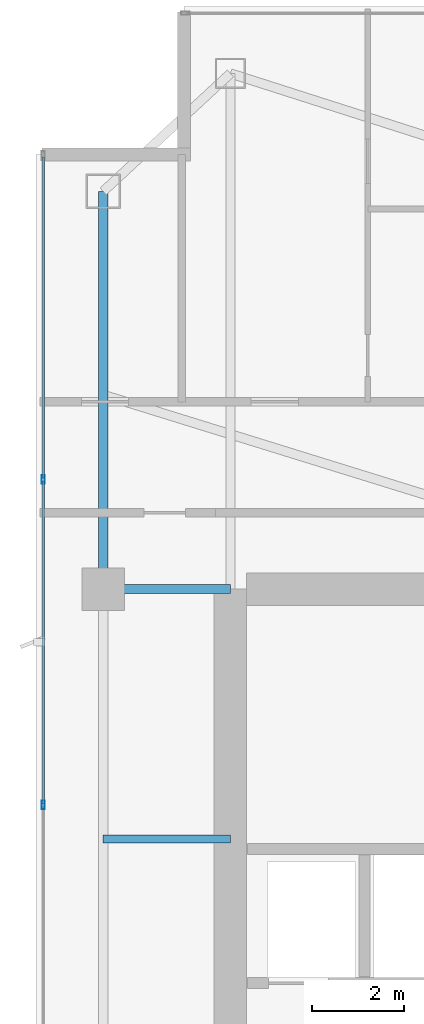
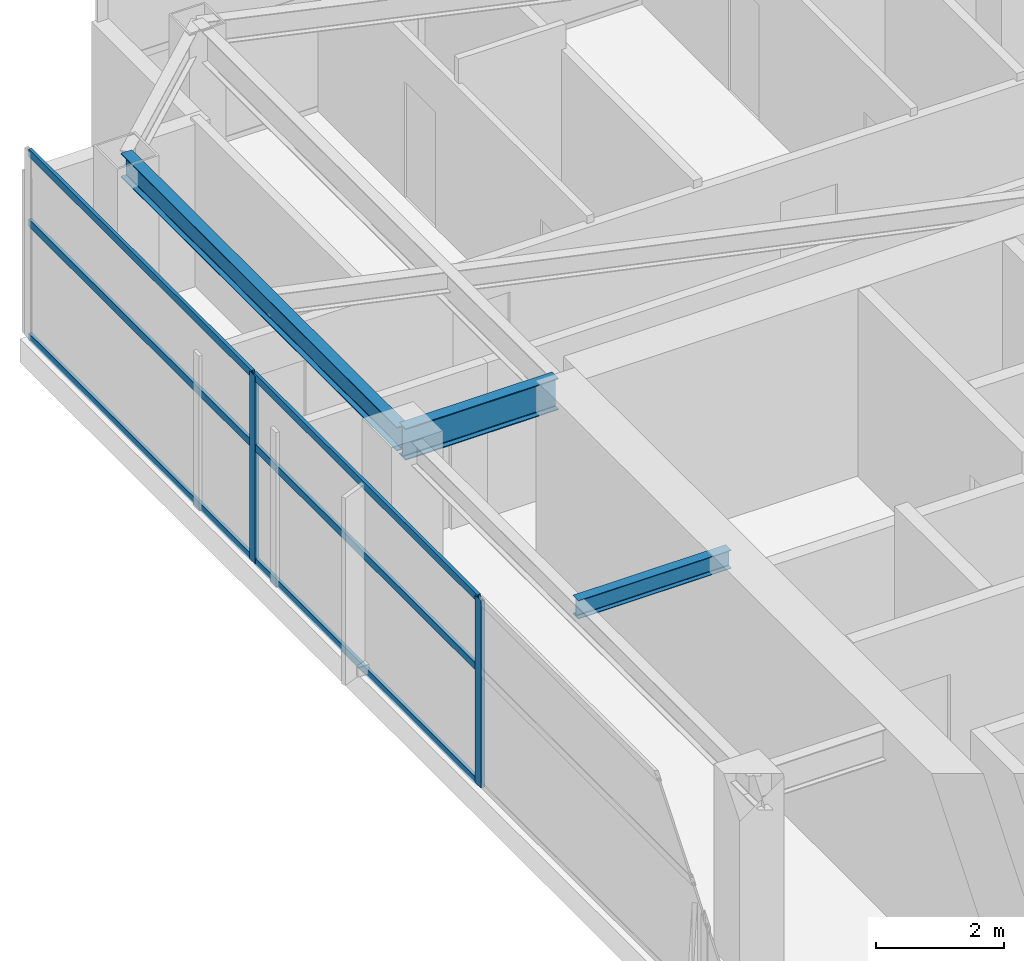
# One storey, part 15 of 28: 8 members, 3 beams, 1 element without a shape of its own.
"""IFC4 building model written with IfcOpenShell, lengths in metres."""

from ifc_helpers import new_model, si_unit, direction, frame, origin, origin_2d, place, context, subcontext, project, spatial, hollow_rectangle, i_section, extrude, material, layer, layer_set, material_profile, profile_set, type_object, element, aggregate, save


model = new_model("IFC4")

# Units and contexts
model_context = context("Model", 3, precision=1e-05, world=origin(), true_north=direction((0.0, 1.0)))
body_context = subcontext(model_context, "Body", "Model", "MODEL_VIEW")
ifc_project = project(units=[si_unit("LENGTHUNIT", "METRE"), si_unit("AREAUNIT", "SQUARE_METRE"), si_unit("VOLUMEUNIT", "CUBIC_METRE"), si_unit("PLANEANGLEUNIT", "RADIAN"), si_unit("MASSUNIT", "GRAM", prefix="KILO")], contexts=[model_context])

# Site, building, storey
site_placement = place(None, origin())
site = spatial("IfcSite", under=ifc_project, at=site_placement, CompositionType="ELEMENT")
building_placement = place(site_placement, origin())
building = spatial("IfcBuilding", under=site, at=building_placement, Name="Calvorn Quay Hotel", CompositionType="ELEMENT")
storey_placement = place(building_placement, frame((0.0, 0.0, 219.300048828125)))
storey = spatial("IfcBuildingStorey", under=building, at=storey_placement, Name="L54", CompositionType="ELEMENT", Elevation=219.300048828125)

# Beams
ifc_material_1 = material(Name="Steel Q355B", Category="steel")
ifc_material_profile_1 = material_profile(ifc_material_1, i_section(OverallWidth=0.199951171875, OverallDepth=0.60009765625, WebThickness=0.010986328125, FlangeThickness=0.01708984375, FilletRadius=0.01806640625, at=origin_2d()), Name="HN600x200x11x17")
ifc_profile_set_1 = profile_set([ifc_material_profile_1], Name="Steel Q355B")
beam_type_1 = type_object("IfcBeamType", Name="BM-GIRD-TYP", PredefinedType="BEAM", material=ifc_profile_set_1)
beam_1_placement = place(storey_placement, frame((1.449951171875, 38.39990234375, 3.239990234375), z_axis=(1.0, 0.0, 0.0), x_axis=(0.0, 1.0, 0.0)))
element("IfcBeam", 1, at=beam_1_placement, inside=storey, type_object=beam_type_1, Name="Beam BG-L54-W3", PredefinedType="BEAM", context=body_context, shape_type="SweptSolid", body=[
    extrude(i_section(OverallWidth=0.199951171875, OverallDepth=0.60009765625, WebThickness=0.010986328125, FlangeThickness=0.01708984375, FilletRadius=0.01806640625, at=origin_2d()), origin(), (0.0, 0.0, 1.0), 2.75),
])
ifc_material_2 = material(Name="Steel Q355B", Category="steel")
ifc_material_profile_2 = material_profile(ifc_material_2, i_section(OverallWidth=0.175048828125, OverallDepth=0.35009765625, WebThickness=0.007080078125, FlangeThickness=0.010986328125, FilletRadius=0.013916015625, at=origin_2d()), Name="HN350x175x7x11")
ifc_profile_set_2 = profile_set([ifc_material_profile_2], Name="Steel Q355B")
beam_type_2 = type_object("IfcBeamType", Name="BM-JOIST-SEC", PredefinedType="JOIST", material=ifc_profile_set_2)
beam_2_placement = place(storey_placement, frame((1.449951171875, 33.0, 3.364990234375), z_axis=(1.0, 0.0, 0.0), x_axis=(0.0, 1.0, 0.0)))
element("IfcBeam", 2, at=beam_2_placement, inside=storey, type_object=beam_type_2, Name="Beam BJ-L54-W4", PredefinedType="JOIST", context=body_context, shape_type="SweptSolid", body=[
    extrude(i_section(OverallWidth=0.175048828125, OverallDepth=0.35009765625, WebThickness=0.007080078125, FlangeThickness=0.010986328125, FilletRadius=0.013916015625, at=origin_2d()), origin(), (0.0, 0.0, 1.0), 2.75),
])
ifc_material_3 = material(Name="Steel Q355B", Category="steel")
ifc_material_profile_3 = material_profile(ifc_material_3, i_section(OverallWidth=0.199951171875, OverallDepth=0.449951171875, WebThickness=0.009033203125, FlangeThickness=0.013916015625, FilletRadius=0.01611328125, at=origin_2d()), Name="HN450x200x9x14")
ifc_profile_set_3 = profile_set([ifc_material_profile_3], Name="Steel Q355B")
beam_type_3 = type_object("IfcBeamType", Name="BM-SPANDREL-Z3", PredefinedType="SPANDREL", material=ifc_profile_set_3)
beam_3_placement = place(storey_placement, frame((1.449951171875, 38.39990234375, 3.31494140625), z_axis=(0.0, 1.0, 0.0), x_axis=(-1.0, 0.0, 0.0)))
element("IfcBeam", 3, at=beam_3_placement, inside=storey, type_object=beam_type_3, Name="Beam BSP-L54-W4", PredefinedType="SPANDREL", context=body_context, shape_type="SweptSolid", body=[
    extrude(i_section(OverallWidth=0.199951171875, OverallDepth=0.449951171875, WebThickness=0.009033203125, FlangeThickness=0.013916015625, FilletRadius=0.01611328125, at=origin_2d()), origin(), (0.0, 0.0, 1.0), 8.60009765625),
])

# Curtain wall, members
ifc_material_4 = material(Name="Champagne Bronze Anodised Aluminium and Low-E Glass", Category="aluminium")
ifc_layer = layer(ifc_material_4, 0.219970703125)
ifc_layer_set = layer_set([ifc_layer], Name="CW-SYS-Z3")
curtain_wall_type = type_object("IfcCurtainWallType", Name="CW-SYS-Z3", PredefinedType="NOTDEFINED", material=ifc_layer_set)
curtain_wall_placement = place(storey_placement, origin())
curtain_wall = element("IfcCurtainWall", 4, at=curtain_wall_placement, inside=storey, type_object=curtain_wall_type, Name="Tower West Curtain Wall (L54)", PredefinedType="NOTDEFINED")
ifc_material_5 = material(Name="Champagne Bronze Anodised Aluminium 6063-T6", Category="aluminium")
ifc_material_profile_4 = material_profile(ifc_material_5, hollow_rectangle(XDim=0.068115234375, YDim=0.18505859375, WallThickness=0.00390625, at=origin_2d()), Name="ALU-M185x68x4")
ifc_profile_set_4 = profile_set([ifc_material_profile_4], Name="Champagne Bronze Anodised Aluminium 6063-T6")
member_type_1 = type_object("IfcMemberType", Name="CW-SYS-Z3-MUL", PredefinedType="MULLION", material=ifc_profile_set_4)
member_1_placement = place(storey_placement, frame((0.14990234375, 33.7333984375, 0.0), z_axis=(0.0, 0.0, 1.0), x_axis=(-1.0, 0.0, 0.0)))
member_1 = element("IfcMember", 5, at=member_1_placement, type_object=member_type_1, Name="CW-L54-W mullion 5", PredefinedType="MULLION", context=body_context, shape_type="SweptSolid", body=[
    extrude(hollow_rectangle(XDim=0.068115234375, YDim=0.18505859375, WallThickness=0.00390625, at=origin_2d()), origin(), (0.0, 0.0, 1.0), 3.56005859375),
])
member_2_placement = place(storey_placement, frame((0.14990234375, 40.7666015625, 0.0), z_axis=(0.0, 0.0, 1.0), x_axis=(-1.0, 0.0, 0.0)))
member_2 = element("IfcMember", 6, at=member_2_placement, type_object=member_type_1, Name="CW-L54-W mullion 6", PredefinedType="MULLION", context=body_context, shape_type="SweptSolid", body=[
    extrude(hollow_rectangle(XDim=0.068115234375, YDim=0.18505859375, WallThickness=0.00390625, at=origin_2d()), origin(), (0.0, 0.0, 1.0), 3.56005859375),
])
ifc_material_6 = material(Name="Champagne Bronze Anodised Aluminium 6063-T6", Category="aluminium")
ifc_material_profile_5 = material_profile(ifc_material_6, hollow_rectangle(XDim=0.05810546875, YDim=0.139892578125, WallThickness=0.003173828125, at=origin_2d()), Name="ALU-T140x58x3.2")
ifc_profile_set_5 = profile_set([ifc_material_profile_5], Name="Champagne Bronze Anodised Aluminium 6063-T6")
member_type_2 = type_object("IfcMemberType", Name="CW-SYS-Z3-TRN", PredefinedType="USERDEFINED", material=ifc_profile_set_5)
member_3_placement = place(storey_placement, frame((0.14990234375, 33.763427734375, 0.030029296875), z_axis=(0.0, 1.0, 0.0), x_axis=(-1.0, 0.0, 0.0)))
member_3 = element("IfcMember", 7, at=member_3_placement, type_object=member_type_2, Name="CW-L54-W transom 5.1", ObjectType="TRANSOM", PredefinedType="USERDEFINED", context=body_context, shape_type="SweptSolid", body=[
    extrude(hollow_rectangle(XDim=0.05810546875, YDim=0.139892578125, WallThickness=0.003173828125, at=origin_2d()), origin(), (0.0, 0.0, 1.0), 6.97314453125),
])
member_4_placement = place(storey_placement, frame((0.14990234375, 33.763427734375, 2.199951171875), z_axis=(0.0, 1.0, 0.0), x_axis=(-1.0, 0.0, 0.0)))
member_4 = element("IfcMember", 8, at=member_4_placement, type_object=member_type_2, Name="CW-L54-W transom 5.2", ObjectType="TRANSOM", PredefinedType="USERDEFINED", context=body_context, shape_type="SweptSolid", body=[
    extrude(hollow_rectangle(XDim=0.05810546875, YDim=0.139892578125, WallThickness=0.003173828125, at=origin_2d()), origin(), (0.0, 0.0, 1.0), 6.97314453125),
])
member_5_placement = place(storey_placement, frame((0.14990234375, 33.763427734375, 3.530029296875), z_axis=(0.0, 1.0, 0.0), x_axis=(-1.0, 0.0, 0.0)))
member_5 = element("IfcMember", 9, at=member_5_placement, type_object=member_type_2, Name="CW-L54-W transom 5.3", ObjectType="TRANSOM", PredefinedType="USERDEFINED", context=body_context, shape_type="SweptSolid", body=[
    extrude(hollow_rectangle(XDim=0.05810546875, YDim=0.139892578125, WallThickness=0.003173828125, at=origin_2d()), origin(), (0.0, 0.0, 1.0), 6.97314453125),
])
member_6_placement = place(storey_placement, frame((0.14990234375, 40.796630859375, 0.030029296875), z_axis=(0.0, 1.0, 0.0), x_axis=(-1.0, 0.0, 0.0)))
member_6 = element("IfcMember", 10, at=member_6_placement, type_object=member_type_2, Name="CW-L54-W transom 6.1", ObjectType="TRANSOM", PredefinedType="USERDEFINED", context=body_context, shape_type="SweptSolid", body=[
    extrude(hollow_rectangle(XDim=0.05810546875, YDim=0.139892578125, WallThickness=0.003173828125, at=origin_2d()), origin(), (0.0, 0.0, 1.0), 6.943359375),
])
member_7_placement = place(storey_placement, frame((0.14990234375, 40.796630859375, 2.199951171875), z_axis=(0.0, 1.0, 0.0), x_axis=(-1.0, 0.0, 0.0)))
member_7 = element("IfcMember", 11, at=member_7_placement, type_object=member_type_2, Name="CW-L54-W transom 6.2", ObjectType="TRANSOM", PredefinedType="USERDEFINED", context=body_context, shape_type="SweptSolid", body=[
    extrude(hollow_rectangle(XDim=0.05810546875, YDim=0.139892578125, WallThickness=0.003173828125, at=origin_2d()), origin(), (0.0, 0.0, 1.0), 6.943359375),
])
member_8_placement = place(storey_placement, frame((0.14990234375, 40.796630859375, 3.530029296875), z_axis=(0.0, 1.0, 0.0), x_axis=(-1.0, 0.0, 0.0)))
member_8 = element("IfcMember", 12, at=member_8_placement, type_object=member_type_2, Name="CW-L54-W transom 6.3", ObjectType="TRANSOM", PredefinedType="USERDEFINED", context=body_context, shape_type="SweptSolid", body=[
    extrude(hollow_rectangle(XDim=0.05810546875, YDim=0.139892578125, WallThickness=0.003173828125, at=origin_2d()), origin(), (0.0, 0.0, 1.0), 6.943359375),
])
aggregate(curtain_wall, [member_1, member_2, member_3, member_4, member_5, member_6, member_7, member_8])

save(model, "model.ifc")
